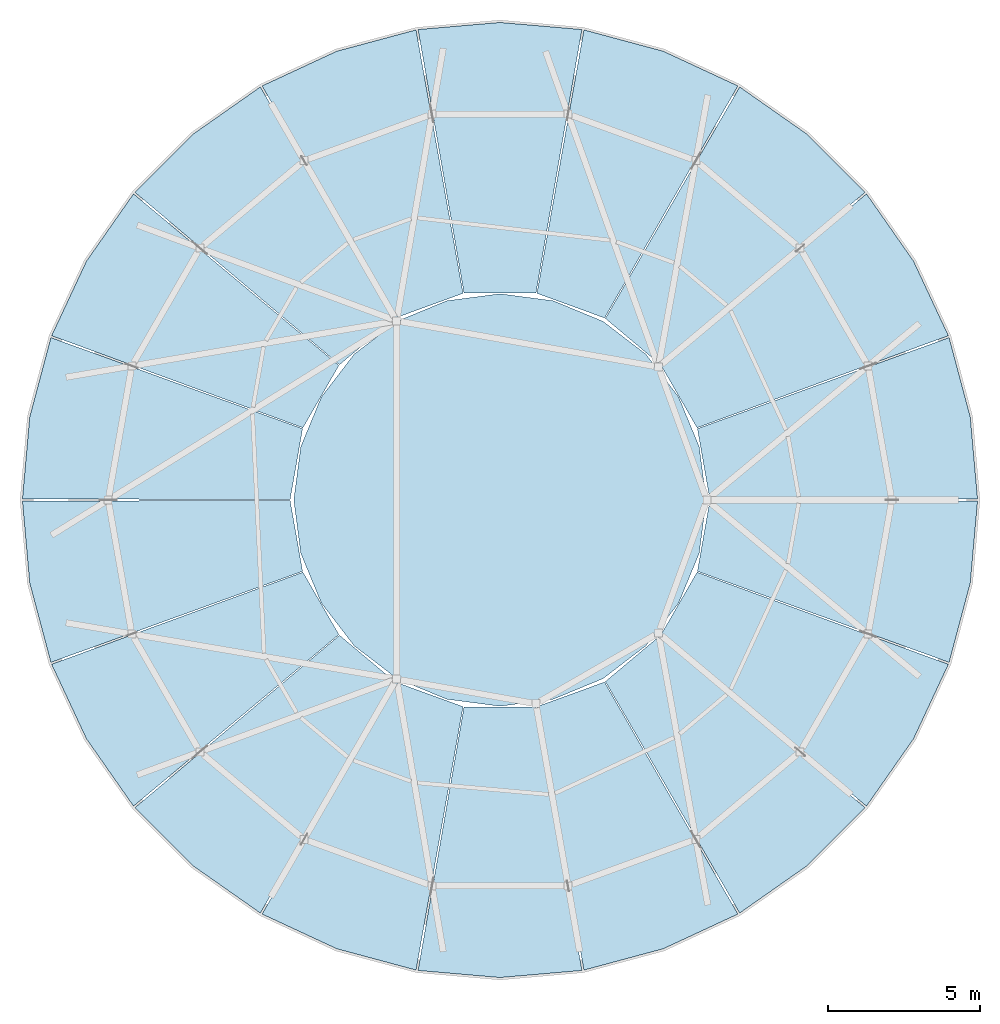
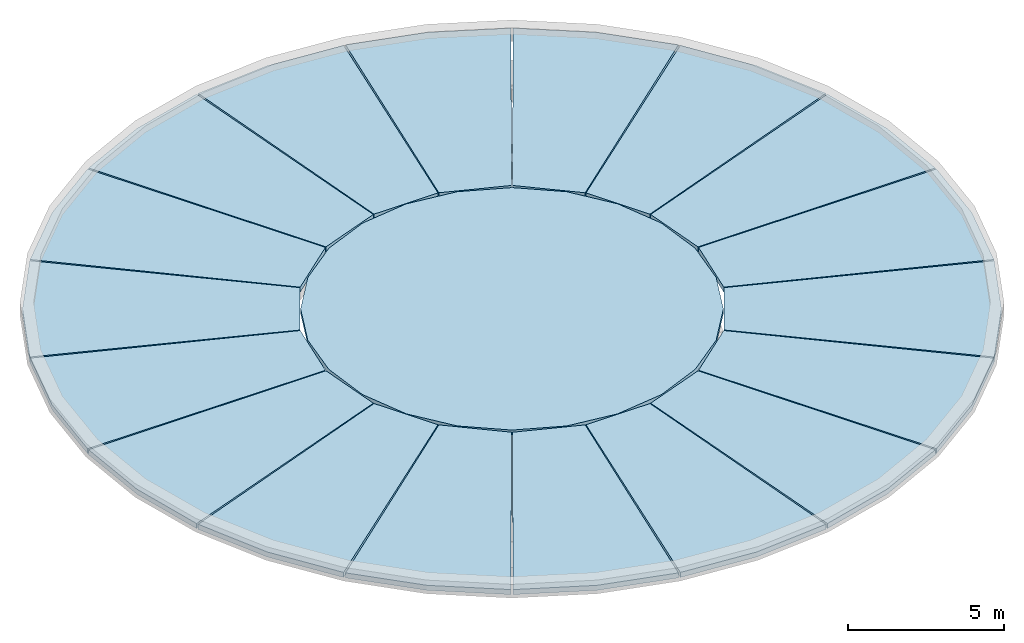
# One storey, part 2 of 6: 19 slabs.
"""IFC4 building model written with IfcOpenShell, lengths in metres."""

from ifc_helpers import new_model, si_unit, direction, frame, origin, place, context, subcontext, project, spatial, polyline, outline, extrude, material, layer, layer_set, type_object, element, save


model = new_model("IFC4")

# Units and contexts
model_context = context("Model", 3, precision=1e-05, world=origin(), true_north=direction((0.0, 1.0)))
body_context = subcontext(model_context, "Body", "Model", "MODEL_VIEW")
ifc_project = project(units=[si_unit("LENGTHUNIT", "METRE"), si_unit("AREAUNIT", "SQUARE_METRE"), si_unit("VOLUMEUNIT", "CUBIC_METRE"), si_unit("PLANEANGLEUNIT", "RADIAN"), si_unit("MASSUNIT", "GRAM", prefix="KILO")], contexts=[model_context])

# Site, building, storey
site_placement = place(None, origin())
site = spatial("IfcSite", under=ifc_project, at=site_placement, CompositionType="ELEMENT")
building_placement = place(site_placement, origin())
building = spatial("IfcBuilding", under=site, at=building_placement, Name="Aldenvaro Health Centre", CompositionType="ELEMENT")
storey_placement = place(building_placement, frame((0.0, 0.0, 25.550048828125)))
storey = spatial("IfcBuildingStorey", under=building, at=storey_placement, Name="RF", CompositionType="ELEMENT", Elevation=25.550048828125)

# Slabs
ifc_material = material(Name="Cross-laminated timber CLT E1", Category="wood")
ifc_layer = layer(ifc_material, 0.195068359375, Name="Cross-laminated timber CLT E1", Category="wood")
ifc_layer_set = layer_set([ifc_layer], Name="Cross-laminated timber CLT E1")
slab_type = type_object("IfcSlabType", Name="SLB-ROOF-195", PredefinedType="ROOF", material=ifc_layer_set)
slab_1_placement = place(storey_placement, frame((0.0, 0.0, 0.619873046875)))
element("IfcSlab", 1, at=slab_1_placement, inside=storey, type_object=slab_type, Name="D4 Overhanging Flat Roof Sector 01", PredefinedType="ROOF", context=body_context, shape_type="SweptSolid", body=[
    extrude(outline(polyline([(34.199951171875, 99.532958984375), (33.9609375, 102.22607421875), (33.263916015625, 104.839111328125), (24.989013671875, 101.845947265625), (25.39990234375, 99.513916015625), (34.199951171875, 99.532958984375)])), origin(), (0.0, 0.0, 1.0), 0.195068359375),
])
slab_2_placement = place(storey_placement, frame((0.0, 0.0, 0.619873046875)))
element("IfcSlab", 2, at=slab_2_placement, inside=storey, type_object=slab_type, Name="D4 Overhanging Flat Roof Sector 02", PredefinedType="ROOF", context=body_context, shape_type="SweptSolid", body=[
    extrude(outline(polyline([(33.241943359375, 104.89990234375), (32.096923828125, 107.35009765625), (30.548095703125, 109.56591796875), (23.794921875, 103.924072265625), (24.97900390625, 101.873046875), (33.241943359375, 104.89990234375)])), origin(), (0.0, 0.0, 1.0), 0.195068359375),
])
slab_3_placement = place(storey_placement, frame((0.0, 0.0, 0.619873046875)))
element("IfcSlab", 3, at=slab_3_placement, inside=storey, type_object=slab_type, Name="D4 Overhanging Flat Roof Sector 03", PredefinedType="ROOF", context=body_context, shape_type="SweptSolid", body=[
    extrude(outline(polyline([(30.506103515625, 109.616943359375), (28.592041015625, 111.527099609375), (26.37890625, 113.080078125), (21.962890625, 105.468017578125), (23.777099609375, 103.946044921875), (30.506103515625, 109.616943359375)])), origin(), (0.0, 0.0, 1.0), 0.195068359375),
])
slab_4_placement = place(storey_placement, frame((0.0, 0.0, 0.619873046875)))
element("IfcSlab", 4, at=slab_4_placement, inside=storey, type_object=slab_type, Name="D4 Overhanging Flat Roof Sector 04", PredefinedType="ROOF", context=body_context, shape_type="SweptSolid", body=[
    extrude(outline(polyline([(26.322021484375, 113.113037109375), (23.8701171875, 114.2529296875), (21.259033203125, 114.9560546875), (19.712890625, 106.29296875), (21.93798828125, 105.48291015625), (26.322021484375, 113.113037109375)])), origin(), (0.0, 0.0, 1.0), 0.195068359375),
])
slab_5_placement = place(storey_placement, frame((0.0, 0.0, 0.619873046875)))
element("IfcSlab", 5, at=slab_5_placement, inside=storey, type_object=slab_type, Name="D4 Overhanging Flat Roof Sector 05", PredefinedType="ROOF", context=body_context, shape_type="SweptSolid", body=[
    extrude(outline(polyline([(21.194091796875, 114.967041015625), (18.5, 115.199951171875), (15.805908203125, 114.967041015625), (17.31591796875, 106.298095703125), (19.68408203125, 106.298095703125), (21.194091796875, 114.967041015625)])), origin(), (0.0, 0.0, 1.0), 0.195068359375),
])
slab_6_placement = place(storey_placement, frame((0.0, 0.0, 0.619873046875)))
element("IfcSlab", 6, at=slab_6_placement, inside=storey, type_object=slab_type, Name="D4 Overhanging Flat Roof Sector 06", PredefinedType="ROOF", context=body_context, shape_type="SweptSolid", body=[
    extrude(outline(polyline([(15.740966796875, 114.9560546875), (13.1298828125, 114.2529296875), (10.677978515625, 113.113037109375), (15.06201171875, 105.48291015625), (17.287109375, 106.29296875), (15.740966796875, 114.9560546875)])), origin(), (0.0, 0.0, 1.0), 0.195068359375),
])
slab_7_placement = place(storey_placement, frame((0.0, 0.0, 0.619873046875)))
element("IfcSlab", 7, at=slab_7_placement, inside=storey, type_object=slab_type, Name="D4 Overhanging Flat Roof Sector 07", PredefinedType="ROOF", context=body_context, shape_type="SweptSolid", body=[
    extrude(outline(polyline([(10.62109375, 113.080078125), (8.407958984375, 111.527099609375), (6.493896484375, 109.616943359375), (13.222900390625, 103.946044921875), (15.037109375, 105.468017578125), (10.62109375, 113.080078125)])), origin(), (0.0, 0.0, 1.0), 0.195068359375),
])
slab_8_placement = place(storey_placement, frame((0.0, 0.0, 0.619873046875)))
element("IfcSlab", 8, at=slab_8_placement, inside=storey, type_object=slab_type, Name="D4 Overhanging Flat Roof Sector 08", PredefinedType="ROOF", context=body_context, shape_type="SweptSolid", body=[
    extrude(outline(polyline([(6.451904296875, 109.56591796875), (4.903076171875, 107.35009765625), (3.758056640625, 104.89990234375), (12.02099609375, 101.873046875), (13.205078125, 103.924072265625), (6.451904296875, 109.56591796875)])), origin(), (0.0, 0.0, 1.0), 0.195068359375),
])
slab_9_placement = place(storey_placement, frame((0.0, 0.0, 0.619873046875)))
element("IfcSlab", 9, at=slab_9_placement, inside=storey, type_object=slab_type, Name="D4 Overhanging Flat Roof Sector 09", PredefinedType="ROOF", context=body_context, shape_type="SweptSolid", body=[
    extrude(outline(polyline([(3.736083984375, 104.839111328125), (3.0390625, 102.22607421875), (2.800048828125, 99.532958984375), (11.60009765625, 99.513916015625), (12.010986328125, 101.845947265625), (3.736083984375, 104.839111328125)])), origin(), (0.0, 0.0, 1.0), 0.195068359375),
])
slab_10_placement = place(storey_placement, frame((0.0, 0.0, 0.619873046875)))
element("IfcSlab", 10, at=slab_10_placement, inside=storey, type_object=slab_type, Name="D4 Overhanging Flat Roof Sector 10", PredefinedType="ROOF", context=body_context, shape_type="SweptSolid", body=[
    extrude(outline(polyline([(2.800048828125, 99.467041015625), (3.0390625, 96.77392578125), (3.736083984375, 94.160888671875), (12.010986328125, 97.154052734375), (11.60009765625, 99.486083984375), (2.800048828125, 99.467041015625)])), origin(), (0.0, 0.0, 1.0), 0.195068359375),
])
slab_11_placement = place(storey_placement, frame((0.0, 0.0, 0.619873046875)))
element("IfcSlab", 11, at=slab_11_placement, inside=storey, type_object=slab_type, Name="D4 Overhanging Flat Roof Sector 11", PredefinedType="ROOF", context=body_context, shape_type="SweptSolid", body=[
    extrude(outline(polyline([(3.758056640625, 94.10009765625), (4.903076171875, 91.64990234375), (6.451904296875, 89.43408203125), (13.205078125, 95.075927734375), (12.02099609375, 97.126953125), (3.758056640625, 94.10009765625)])), origin(), (0.0, 0.0, 1.0), 0.195068359375),
])
slab_12_placement = place(storey_placement, frame((0.0, 0.0, 0.619873046875)))
element("IfcSlab", 12, at=slab_12_placement, inside=storey, type_object=slab_type, Name="D4 Overhanging Flat Roof Sector 12", PredefinedType="ROOF", context=body_context, shape_type="SweptSolid", body=[
    extrude(outline(polyline([(6.493896484375, 89.383056640625), (8.407958984375, 87.472900390625), (10.62109375, 85.919921875), (15.037109375, 93.531982421875), (13.222900390625, 95.053955078125), (6.493896484375, 89.383056640625)])), origin(), (0.0, 0.0, 1.0), 0.195068359375),
])
slab_13_placement = place(storey_placement, frame((0.0, 0.0, 0.619873046875)))
element("IfcSlab", 13, at=slab_13_placement, inside=storey, type_object=slab_type, Name="D4 Overhanging Flat Roof Sector 13", PredefinedType="ROOF", context=body_context, shape_type="SweptSolid", body=[
    extrude(outline(polyline([(10.677978515625, 85.886962890625), (13.1298828125, 84.7470703125), (15.740966796875, 84.0439453125), (17.287109375, 92.70703125), (15.06201171875, 93.51708984375), (10.677978515625, 85.886962890625)])), origin(), (0.0, 0.0, 1.0), 0.195068359375),
])
slab_14_placement = place(storey_placement, frame((0.0, 0.0, 0.619873046875)))
element("IfcSlab", 14, at=slab_14_placement, inside=storey, type_object=slab_type, Name="D4 Overhanging Flat Roof Sector 14", PredefinedType="ROOF", context=body_context, shape_type="SweptSolid", body=[
    extrude(outline(polyline([(15.805908203125, 84.032958984375), (18.5, 83.800048828125), (21.194091796875, 84.032958984375), (19.68408203125, 92.701904296875), (17.31591796875, 92.701904296875), (15.805908203125, 84.032958984375)])), origin(), (0.0, 0.0, 1.0), 0.195068359375),
])
slab_15_placement = place(storey_placement, frame((0.0, 0.0, 0.619873046875)))
element("IfcSlab", 15, at=slab_15_placement, inside=storey, type_object=slab_type, Name="D4 Overhanging Flat Roof Sector 15", PredefinedType="ROOF", context=body_context, shape_type="SweptSolid", body=[
    extrude(outline(polyline([(21.259033203125, 84.0439453125), (23.8701171875, 84.7470703125), (26.322021484375, 85.886962890625), (21.93798828125, 93.51708984375), (19.712890625, 92.70703125), (21.259033203125, 84.0439453125)])), origin(), (0.0, 0.0, 1.0), 0.195068359375),
])
slab_16_placement = place(storey_placement, frame((0.0, 0.0, 0.619873046875)))
element("IfcSlab", 16, at=slab_16_placement, inside=storey, type_object=slab_type, Name="D4 Overhanging Flat Roof Sector 16", PredefinedType="ROOF", context=body_context, shape_type="SweptSolid", body=[
    extrude(outline(polyline([(26.37890625, 85.919921875), (28.592041015625, 87.472900390625), (30.506103515625, 89.383056640625), (23.777099609375, 95.053955078125), (21.962890625, 93.531982421875), (26.37890625, 85.919921875)])), origin(), (0.0, 0.0, 1.0), 0.195068359375),
])
slab_17_placement = place(storey_placement, frame((0.0, 0.0, 0.619873046875)))
element("IfcSlab", 17, at=slab_17_placement, inside=storey, type_object=slab_type, Name="D4 Overhanging Flat Roof Sector 17", PredefinedType="ROOF", context=body_context, shape_type="SweptSolid", body=[
    extrude(outline(polyline([(30.548095703125, 89.43408203125), (32.096923828125, 91.64990234375), (33.241943359375, 94.10009765625), (24.97900390625, 97.126953125), (23.794921875, 95.075927734375), (30.548095703125, 89.43408203125)])), origin(), (0.0, 0.0, 1.0), 0.195068359375),
])
slab_18_placement = place(storey_placement, frame((0.0, 0.0, 0.619873046875)))
element("IfcSlab", 18, at=slab_18_placement, inside=storey, type_object=slab_type, Name="D4 Overhanging Flat Roof Sector 18", PredefinedType="ROOF", context=body_context, shape_type="SweptSolid", body=[
    extrude(outline(polyline([(33.263916015625, 94.160888671875), (33.9609375, 96.77392578125), (34.199951171875, 99.467041015625), (25.39990234375, 99.486083984375), (24.989013671875, 97.154052734375), (33.263916015625, 94.160888671875)])), origin(), (0.0, 0.0, 1.0), 0.195068359375),
])
slab_19_placement = place(storey_placement, frame((0.0, 0.0, 0.619873046875)))
element("IfcSlab", 19, at=slab_19_placement, inside=storey, type_object=slab_type, Name="D4 Central Flat Roof Deck", PredefinedType="ROOF", context=body_context, shape_type="SweptSolid", body=[
    extrude(outline(polyline([(25.280029296875, 99.5), (25.049072265625, 101.2548828125), (24.3720703125, 102.889892578125), (23.2939453125, 104.2939453125), (21.889892578125, 105.3720703125), (20.2548828125, 106.049072265625), (18.5, 106.280029296875), (16.7451171875, 106.049072265625), (15.110107421875, 105.3720703125), (13.7060546875, 104.2939453125), (12.6279296875, 102.889892578125), (11.950927734375, 101.2548828125), (11.719970703125, 99.5), (11.950927734375, 97.7451171875), (12.6279296875, 96.110107421875), (13.7060546875, 94.7060546875), (15.110107421875, 93.6279296875), (16.7451171875, 92.950927734375), (18.5, 92.719970703125), (20.2548828125, 92.950927734375), (21.889892578125, 93.6279296875), (23.2939453125, 94.7060546875), (24.3720703125, 96.110107421875), (25.049072265625, 97.7451171875), (25.280029296875, 99.5)])), origin(), (0.0, 0.0, 1.0), 0.195068359375),
])

save(model, "model.ifc")
